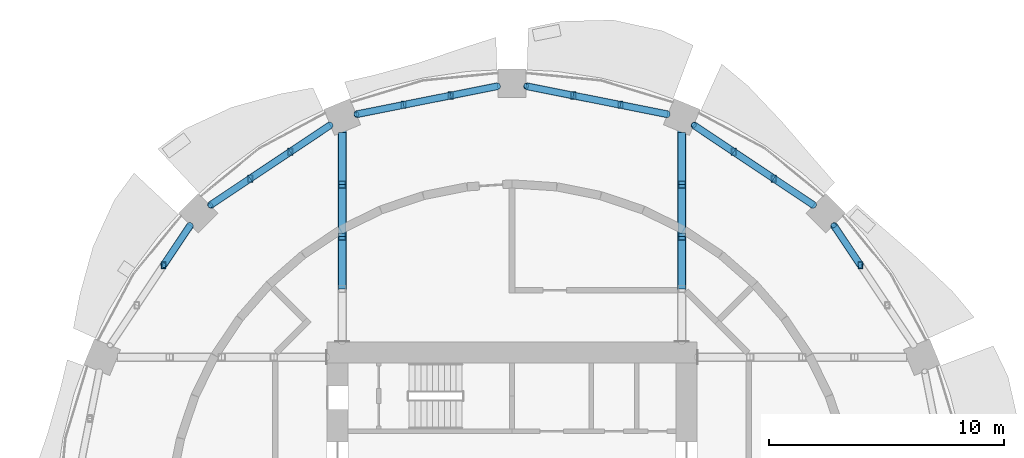
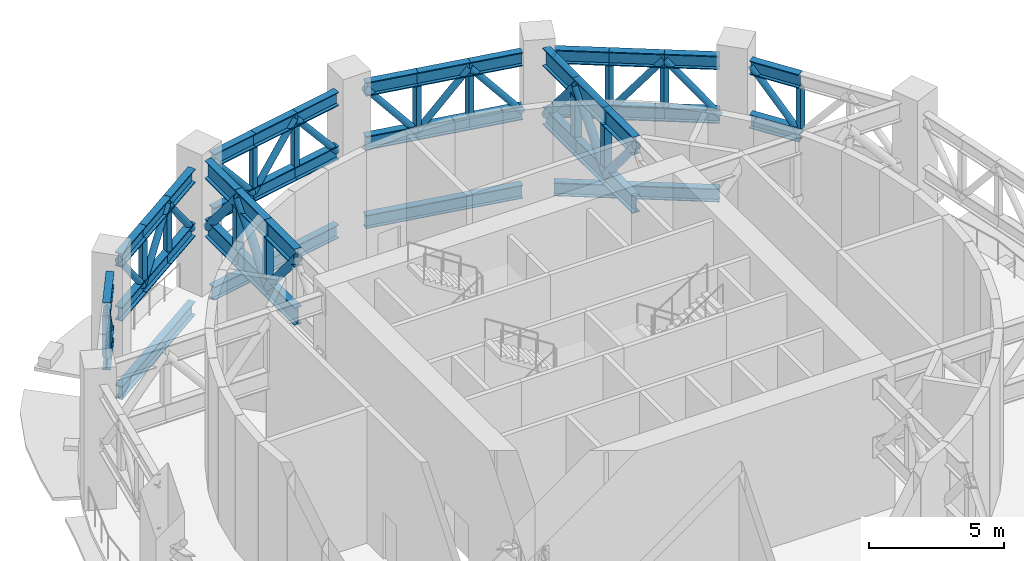
# One storey, part 5 of 14: 74 members, 4 beams.
"""IFC4 building model written with IfcOpenShell, lengths in metres."""

from ifc_helpers import new_model, si_unit, direction, frame, origin, origin_2d, place, context, subcontext, project, spatial, hollow_rectangle, hollow_circle, i_section, extrude, material, material_profile, profile_set, type_object, element, save


model = new_model("IFC4")

# Units and contexts
model_context = context("Model", 3, precision=1e-05, world=origin(), true_north=direction((0.0, 1.0)))
body_context = subcontext(model_context, "Body", "Model", "MODEL_VIEW")
ifc_project = project(units=[si_unit("LENGTHUNIT", "METRE"), si_unit("AREAUNIT", "SQUARE_METRE"), si_unit("VOLUMEUNIT", "CUBIC_METRE"), si_unit("PLANEANGLEUNIT", "RADIAN"), si_unit("MASSUNIT", "GRAM", prefix="KILO")], contexts=[model_context])

# Site, building, storey
site_placement = place(None, origin())
site = spatial("IfcSite", under=ifc_project, at=site_placement, CompositionType="ELEMENT")
building_placement = place(site_placement, origin())
building = spatial("IfcBuilding", under=site, at=building_placement, Name="Polderwave Tower", CompositionType="ELEMENT")
storey_placement = place(building_placement, frame((0.0, 0.0, 66.35009765625)))
storey = spatial("IfcBuildingStorey", under=building, at=storey_placement, Name="L17", CompositionType="ELEMENT", Elevation=66.35009765625)

# Members
ifc_material_1 = material(Name="Steel S460", Category="steel")
ifc_material_profile_1 = material_profile(ifc_material_1, i_section(OverallWidth=0.304931640625, OverallDepth=0.6201171875, WebThickness=0.02099609375, FlangeThickness=0.0400390625, at=origin_2d()), Name="HE 600 M")
ifc_profile_set_1 = profile_set([ifc_material_profile_1], Name="Steel S460")
member_type_1 = type_object("IfcMemberType", Name="BELT CHORD HE 600 M", PredefinedType="CHORD", material=ifc_profile_set_1)
for number, where, z_axis, x_axis, name in (
    (1, (14.82763671875, 11.138916015625, 5.33984375), (-0.555580303473, 0.831462883352, 0.0), (-0.831462883352, -0.555580303473, 0.0), "ST-BT-L17-01-TC3"),
    (2, (14.82763671875, 11.138916015625, 2.909912109375), (-0.555580303473, 0.831462883352, 0.0), (-0.831462883352, -0.555580303473, 0.0), "ST-BT-L17-01-BC3"),
    (3, (12.841552734375, 13.68994140625, 5.33984375), (-0.831462883352, 0.555580303473, 0.0), (-0.555580303473, -0.831462883352, 0.0), "ST-BT-L17-02-TC1"),
    (4, (12.841552734375, 13.68994140625, 2.909912109375), (-0.831462883352, 0.555580303473, 0.0), (-0.555580303473, -0.831462883352, 0.0), "ST-BT-L17-02-BC1"),
    (5, (11.138916015625, 14.82763671875, 5.33984375), (-0.831462883352, 0.555580303473, 0.0), (-0.555580303473, -0.831462883352, 0.0), "ST-BT-L17-02-TC2"),
    (6, (11.138916015625, 14.82763671875, 2.909912109375), (-0.831462883352, 0.555580303473, 0.0), (-0.555580303473, -0.831462883352, 0.0), "ST-BT-L17-02-BC2"),
    (7, (9.436279296875, 15.96533203125, 5.33984375), (-0.831462883352, 0.555580303473, 0.0), (-0.555580303473, -0.831462883352, 0.0), "ST-BT-L17-02-TC3"),
    (8, (9.436279296875, 15.96533203125, 2.909912109375), (-0.831462883352, 0.555580303473, 0.0), (-0.555580303473, -0.831462883352, 0.0), "ST-BT-L17-02-BC3"),
):
    element("IfcMember", number, at=place(storey_placement, frame(where, z_axis=z_axis, x_axis=x_axis)), inside=storey, type_object=member_type_1, Name=name, PredefinedType="CHORD", context=body_context, shape_type="SweptSolid", body=[
        extrude(i_section(OverallWidth=0.304931640625, OverallDepth=0.6201171875, WebThickness=0.02099609375, FlangeThickness=0.0400390625, at=origin_2d()), origin(), (0.0, 0.0, 1.0), 2.0478515625),
    ])
for number, where, z_axis, x_axis, name in (
    (9, (6.625, 17.562255859375, 5.33984375), (-0.980791054921, 0.195061289308, 0.0), (-0.195061289308, -0.980791054921, 0.0), "ST-BT-L17-03-TC1"),
    (10, (6.625, 17.562255859375, 2.909912109375), (-0.980791054921, 0.195061289308, 0.0), (-0.195061289308, -0.980791054921, 0.0), "ST-BT-L17-03-BC1"),
    (11, (4.61669921875, 17.961669921875, 5.33984375), (-0.980791054921, 0.195061289308, 0.0), (-0.195061289308, -0.980791054921, 0.0), "ST-BT-L17-03-TC2"),
    (12, (4.61669921875, 17.961669921875, 2.909912109375), (-0.980791054921, 0.195061289308, 0.0), (-0.195061289308, -0.980791054921, 0.0), "ST-BT-L17-03-BC2"),
    (13, (2.6083984375, 18.361083984375, 5.33984375), (-0.980768238216, 0.195175979329, 0.0), (-0.195175979329, -0.980768238216, 0.0), "ST-BT-L17-03-TC3"),
    (14, (2.6083984375, 18.361083984375, 2.909912109375), (-0.980768238216, 0.195175979329, 0.0), (-0.195175979329, -0.980768238216, 0.0), "ST-BT-L17-03-BC3"),
    (15, (-0.60009765625, 18.7607421875, 5.33984375), (-0.980768238216, -0.195175979329, 0.0), (0.195175979329, -0.980768238216, 0.0), "ST-BT-L17-04-TC1"),
    (16, (-0.60009765625, 18.7607421875, 2.909912109375), (-0.980768238216, -0.195175979329, 0.0), (0.195175979329, -0.980768238216, 0.0), "ST-BT-L17-04-BC1"),
    (17, (-2.6083984375, 18.361083984375, 5.33984375), (-0.980791054921, -0.195061289308, 0.0), (0.195061289308, -0.980791054921, 0.0), "ST-BT-L17-04-TC2"),
    (18, (-2.6083984375, 18.361083984375, 2.909912109375), (-0.980791054921, -0.195061289308, 0.0), (0.195061289308, -0.980791054921, 0.0), "ST-BT-L17-04-BC2"),
    (19, (-4.61669921875, 17.961669921875, 5.33984375), (-0.980791054921, -0.195061289308, 0.0), (0.195061289308, -0.980791054921, 0.0), "ST-BT-L17-04-TC3"),
    (20, (-4.61669921875, 17.961669921875, 2.909912109375), (-0.980791054921, -0.195061289308, 0.0), (0.195061289308, -0.980791054921, 0.0), "ST-BT-L17-04-BC3"),
):
    element("IfcMember", number, at=place(storey_placement, frame(where, z_axis=z_axis, x_axis=x_axis)), inside=storey, type_object=member_type_1, Name=name, PredefinedType="CHORD", context=body_context, shape_type="SweptSolid", body=[
        extrude(i_section(OverallWidth=0.304931640625, OverallDepth=0.6201171875, WebThickness=0.02099609375, FlangeThickness=0.0400390625, at=origin_2d()), origin(), (0.0, 0.0, 1.0), 2.047607421875),
    ])
for number, where, z_axis, x_axis, name in (
    (21, (-7.733642578125, 17.10302734375, 5.33984375), (-0.831462883352, -0.555580303473, 0.0), (0.555580303473, -0.831462883352, 0.0), "ST-BT-L17-05-TC1"),
    (22, (-7.733642578125, 17.10302734375, 2.909912109375), (-0.831462883352, -0.555580303473, 0.0), (0.555580303473, -0.831462883352, 0.0), "ST-BT-L17-05-BC1"),
    (23, (-9.436279296875, 15.96533203125, 5.33984375), (-0.831462883352, -0.555580303473, 0.0), (0.555580303473, -0.831462883352, 0.0), "ST-BT-L17-05-TC2"),
    (24, (-9.436279296875, 15.96533203125, 2.909912109375), (-0.831462883352, -0.555580303473, 0.0), (0.555580303473, -0.831462883352, 0.0), "ST-BT-L17-05-BC2"),
    (25, (-11.138916015625, 14.82763671875, 5.33984375), (-0.831462883352, -0.555580303473, 0.0), (0.555580303473, -0.831462883352, 0.0), "ST-BT-L17-05-TC3"),
    (26, (-11.138916015625, 14.82763671875, 2.909912109375), (-0.831462883352, -0.555580303473, 0.0), (0.555580303473, -0.831462883352, 0.0), "ST-BT-L17-05-BC3"),
    (27, (-13.68994140625, 12.841552734375, 5.33984375), (-0.555580303473, -0.831462883352, 0.0), (0.831462883352, -0.555580303473, 0.0), "ST-BT-L17-06-TC1"),
    (28, (-13.68994140625, 12.841552734375, 2.909912109375), (-0.555580303473, -0.831462883352, 0.0), (0.831462883352, -0.555580303473, 0.0), "ST-BT-L17-06-BC1"),
):
    element("IfcMember", number, at=place(storey_placement, frame(where, z_axis=z_axis, x_axis=x_axis)), inside=storey, type_object=member_type_1, Name=name, PredefinedType="CHORD", context=body_context, shape_type="SweptSolid", body=[
        extrude(i_section(OverallWidth=0.304931640625, OverallDepth=0.6201171875, WebThickness=0.02099609375, FlangeThickness=0.0400390625, at=origin_2d()), origin(), (0.0, 0.0, 1.0), 2.0478515625),
    ])
ifc_material_profile_2 = material_profile(ifc_material_1, hollow_circle(Radius=0.136474609375, WallThickness=0.012451171875, at=origin_2d()), Name="CHS 273x12.5")
ifc_profile_set_2 = profile_set([ifc_material_profile_2], Name="Steel S460")
member_type_2 = type_object("IfcMemberType", Name="BELT DIAGONAL CHS 273x12.5", PredefinedType="BRACE", material=ifc_profile_set_2)
for number, where, z_axis, x_axis, name in (
    (29, (14.82763671875, 11.138916015625, 2.909912109375), (-0.358022768665, 0.535804890273, 0.764678243889), (-0.831462883352, -0.555580303473, 0.0), "ST-BT-L17-01-D3"),
    (30, (12.841552734375, 13.68994140625, 2.909912109375), (-0.535804890273, 0.358022768665, 0.764678243889), (-0.555580303473, -0.831462883352, 0.0), "ST-BT-L17-02-D1"),
    (31, (11.138916015625, 14.82763671875, 5.33984375), (-0.535804890273, 0.358022768665, -0.764678243889), (-0.555580303473, -0.831462883352, 0.0), "ST-BT-L17-02-D2"),
    (32, (9.436279296875, 15.96533203125, 2.909912109375), (-0.535804890273, 0.358022768665, 0.764678243889), (-0.555580303473, -0.831462883352, 0.0), "ST-BT-L17-02-D3"),
    (33, (6.625, 17.562255859375, 2.909912109375), (-0.632010934113, 0.125695342598, 0.764697888065), (-0.195061289308, -0.980791054921, 0.0), "ST-BT-L17-03-D1"),
    (34, (4.61669921875, 17.961669921875, 5.33984375), (-0.632010934113, 0.125695342598, -0.764697888065), (-0.195061289308, -0.980791054921, 0.0), "ST-BT-L17-03-D2"),
    (35, (2.6083984375, 18.361083984375, 2.909912109375), (-0.632004828826, 0.12577095852, 0.764690501009), (-0.195175979329, -0.980768238216, 0.0), "ST-BT-L17-03-D3"),
    (36, (-0.60009765625, 18.7607421875, 2.909912109375), (-0.632004828826, -0.12577095852, 0.764690501009), (0.195175979329, -0.980768238216, 0.0), "ST-BT-L17-04-D1"),
    (37, (-2.6083984375, 18.361083984375, 5.33984375), (-0.632010934113, -0.125695342598, -0.764697888065), (0.195061289308, -0.980791054921, 0.0), "ST-BT-L17-04-D2"),
    (38, (-4.61669921875, 17.961669921875, 2.909912109375), (-0.632010934113, -0.125695342598, 0.764697888065), (0.195061289308, -0.980791054921, 0.0), "ST-BT-L17-04-D3"),
    (39, (-7.733642578125, 17.10302734375, 2.909912109375), (-0.535804890273, -0.358022768665, 0.764678243889), (0.555580303473, -0.831462883352, 0.0), "ST-BT-L17-05-D1"),
    (40, (-9.436279296875, 15.96533203125, 5.33984375), (-0.535804890273, -0.358022768665, -0.764678243889), (0.555580303473, -0.831462883352, 0.0), "ST-BT-L17-05-D2"),
    (41, (-11.138916015625, 14.82763671875, 2.909912109375), (-0.535804890273, -0.358022768665, 0.764678243889), (0.555580303473, -0.831462883352, 0.0), "ST-BT-L17-05-D3"),
    (42, (-13.68994140625, 12.841552734375, 2.909912109375), (-0.358022768665, -0.535804890273, 0.764678243889), (0.831462883352, -0.555580303473, 0.0), "ST-BT-L17-06-D1"),
):
    element("IfcMember", number, at=place(storey_placement, frame(where, z_axis=z_axis, x_axis=x_axis)), inside=storey, type_object=member_type_2, Name=name, PredefinedType="BRACE", context=body_context, shape_type="SweptSolid", body=[
        extrude(hollow_circle(Radius=0.136474609375, WallThickness=0.012451171875, at=origin_2d()), origin(), (0.0, 0.0, 1.0), 3.177734375),
    ])
ifc_material_profile_3 = material_profile(ifc_material_1, hollow_rectangle(XDim=0.199951171875, YDim=0.300048828125, WallThickness=0.012451171875, at=origin_2d()), Name="RHS 300x200x12.5")
ifc_profile_set_3 = profile_set([ifc_material_profile_3], Name="Steel S460")
member_type_3 = type_object("IfcMemberType", Name="BELT POST RHS 300x200x12.5", PredefinedType="POST", material=ifc_profile_set_3)
for number, where, z_axis, x_axis, name in (
    (43, (14.82763671875, 11.138916015625, 3.219970703125), (0.0, 0.0, 1.0), (1.0, 0.0, 0.0), "ST-BT-L17-01-P2"),
    (44, (11.138916015625, 14.82763671875, 3.219970703125), (0.0, 0.0, 1.0), (1.0, 0.0, 0.0), "ST-BT-L17-02-P1"),
    (45, (9.436279296875, 15.96533203125, 3.219970703125), (0.0, 0.0, 1.0), (1.0, 0.0, 0.0), "ST-BT-L17-02-P2"),
    (46, (4.61669921875, 17.961669921875, 3.219970703125), (0.0, 0.0, 1.0), (1.0, 0.0, 0.0), "ST-BT-L17-03-P1"),
    (47, (2.6083984375, 18.361083984375, 3.219970703125), (0.0, 0.0, 1.0), (1.0, 0.0, 0.0), "ST-BT-L17-03-P2"),
    (48, (-2.6083984375, 18.361083984375, 3.219970703125), (0.0, 0.0, 1.0), (1.0, 0.0, 0.0), "ST-BT-L17-04-P1"),
    (49, (-4.61669921875, 17.961669921875, 3.219970703125), (0.0, 0.0, 1.0), (1.0, 0.0, 0.0), "ST-BT-L17-04-P2"),
    (50, (-9.436279296875, 15.96533203125, 3.219970703125), (0.0, 0.0, 1.0), (1.0, 0.0, 0.0), "ST-BT-L17-05-P1"),
    (51, (-11.138916015625, 14.82763671875, 3.219970703125), (0.0, 0.0, 1.0), (1.0, 0.0, 0.0), "ST-BT-L17-05-P2"),
    (52, (-14.82763671875, 11.138916015625, 3.219970703125), (0.0, 0.0, 1.0), (1.0, 0.0, 0.0), "ST-BT-L17-06-P1"),
):
    element("IfcMember", number, at=place(storey_placement, frame(where, z_axis=z_axis, x_axis=x_axis)), inside=storey, type_object=member_type_3, Name=name, PredefinedType="POST", context=body_context, shape_type="SweptSolid", body=[
        extrude(hollow_rectangle(XDim=0.199951171875, YDim=0.300048828125, WallThickness=0.012451171875, at=origin_2d()), origin(), (0.0, 0.0, 1.0), 1.809814453125),
    ])
ifc_material_profile_4 = material_profile(ifc_material_1, i_section(OverallWidth=0.302978515625, OverallDepth=0.81396484375, WebThickness=0.02099609375, FlangeThickness=0.0400390625, at=origin_2d()), Name="HE 800 M")
ifc_profile_set_4 = profile_set([ifc_material_profile_4], Name="Steel S460")
member_type_4 = type_object("IfcMemberType", Name="OUTRIGGER CHORD HE 800 M", PredefinedType="CHORD", material=ifc_profile_set_4)
for number, where, z_axis, x_axis, name in (
    (53, (7.22509765625, 10.1337890625, 5.642822265625), (0.0, 1.0, 0.0), (-1.0, 0.0, 0.0), "ST-OR-L17-03-TC2"),
    (54, (7.22509765625, 10.1337890625, 3.0068359375), (0.0, 1.0, 0.0), (-1.0, 0.0, 0.0), "ST-OR-L17-03-BC2"),
):
    element("IfcMember", number, at=place(storey_placement, frame(where, z_axis=z_axis, x_axis=x_axis)), inside=storey, type_object=member_type_4, Name=name, PredefinedType="CHORD", context=body_context, shape_type="SweptSolid", body=[
        extrude(i_section(OverallWidth=0.302978515625, OverallDepth=0.81396484375, WebThickness=0.02099609375, FlangeThickness=0.0400390625, at=origin_2d()), origin(), (0.0, 0.0, 1.0), 2.219970703125),
    ])
for number, where, z_axis, x_axis, name in (
    (55, (7.22509765625, 12.353759765625, 5.642822265625), (0.0, 1.0, 0.0), (-1.0, 0.0, 0.0), "ST-OR-L17-03-TC3"),
    (56, (7.22509765625, 12.353759765625, 3.0068359375), (0.0, 1.0, 0.0), (-1.0, 0.0, 0.0), "ST-OR-L17-03-BC3"),
):
    element("IfcMember", number, at=place(storey_placement, frame(where, z_axis=z_axis, x_axis=x_axis)), inside=storey, type_object=member_type_4, Name=name, PredefinedType="CHORD", context=body_context, shape_type="SweptSolid", body=[
        extrude(i_section(OverallWidth=0.302978515625, OverallDepth=0.81396484375, WebThickness=0.02099609375, FlangeThickness=0.0400390625, at=origin_2d()), origin(), (0.0, 0.0, 1.0), 2.2197265625),
    ])
for number, where, z_axis, x_axis, name in (
    (57, (7.22509765625, 14.573486328125, 5.642822265625), (0.0, 1.0, 0.0), (-1.0, 0.0, 0.0), "ST-OR-L17-03-TC4"),
    (58, (7.22509765625, 14.573486328125, 3.0068359375), (0.0, 1.0, 0.0), (-1.0, 0.0, 0.0), "ST-OR-L17-03-BC4"),
    (59, (-7.22509765625, 10.1337890625, 5.642822265625), (0.0, 1.0, 0.0), (-1.0, 0.0, 0.0), "ST-OR-L17-05-TC2"),
    (60, (-7.22509765625, 10.1337890625, 3.0068359375), (0.0, 1.0, 0.0), (-1.0, 0.0, 0.0), "ST-OR-L17-05-BC2"),
):
    element("IfcMember", number, at=place(storey_placement, frame(where, z_axis=z_axis, x_axis=x_axis)), inside=storey, type_object=member_type_4, Name=name, PredefinedType="CHORD", context=body_context, shape_type="SweptSolid", body=[
        extrude(i_section(OverallWidth=0.302978515625, OverallDepth=0.81396484375, WebThickness=0.02099609375, FlangeThickness=0.0400390625, at=origin_2d()), origin(), (0.0, 0.0, 1.0), 2.219970703125),
    ])
for number, where, z_axis, x_axis, name in (
    (61, (-7.22509765625, 12.353759765625, 5.642822265625), (0.0, 1.0, 0.0), (-1.0, 0.0, 0.0), "ST-OR-L17-05-TC3"),
    (62, (-7.22509765625, 12.353759765625, 3.0068359375), (0.0, 1.0, 0.0), (-1.0, 0.0, 0.0), "ST-OR-L17-05-BC3"),
):
    element("IfcMember", number, at=place(storey_placement, frame(where, z_axis=z_axis, x_axis=x_axis)), inside=storey, type_object=member_type_4, Name=name, PredefinedType="CHORD", context=body_context, shape_type="SweptSolid", body=[
        extrude(i_section(OverallWidth=0.302978515625, OverallDepth=0.81396484375, WebThickness=0.02099609375, FlangeThickness=0.0400390625, at=origin_2d()), origin(), (0.0, 0.0, 1.0), 2.2197265625),
    ])
for number, where, z_axis, x_axis, name in (
    (63, (-7.22509765625, 14.573486328125, 5.642822265625), (0.0, 1.0, 0.0), (-1.0, 0.0, 0.0), "ST-OR-L17-05-TC4"),
    (64, (-7.22509765625, 14.573486328125, 3.0068359375), (0.0, 1.0, 0.0), (-1.0, 0.0, 0.0), "ST-OR-L17-05-BC4"),
):
    element("IfcMember", number, at=place(storey_placement, frame(where, z_axis=z_axis, x_axis=x_axis)), inside=storey, type_object=member_type_4, Name=name, PredefinedType="CHORD", context=body_context, shape_type="SweptSolid", body=[
        extrude(i_section(OverallWidth=0.302978515625, OverallDepth=0.81396484375, WebThickness=0.02099609375, FlangeThickness=0.0400390625, at=origin_2d()), origin(), (0.0, 0.0, 1.0), 2.219970703125),
    ])
ifc_material_profile_5 = material_profile(ifc_material_1, hollow_circle(Radius=0.177734375, WallThickness=0.012451171875, at=origin_2d()), Name="CHS 355.6x12.5")
ifc_profile_set_5 = profile_set([ifc_material_profile_5], Name="Steel S460")
member_type_5 = type_object("IfcMemberType", Name="OUTRIGGER DIAGONAL CHS 355.6x12.5", PredefinedType="BRACE", material=ifc_profile_set_5)
member_1_placement = place(storey_placement, frame((7.22509765625, 10.1337890625, 5.642822265625), z_axis=(0.0, 0.644168468107, -0.764883641279), x_axis=(-1.0, 0.0, 0.0)))
element("IfcMember", 65, at=member_1_placement, inside=storey, type_object=member_type_5, Name="ST-OR-L17-03-D2", PredefinedType="BRACE", context=body_context, shape_type="SweptSolid", body=[
    extrude(hollow_circle(Radius=0.177734375, WallThickness=0.012451171875, at=origin_2d()), origin(), (0.0, 0.0, 1.0), 3.4462890625),
])
member_2_placement = place(storey_placement, frame((7.22509765625, 12.353759765625, 3.0068359375), z_axis=(0.0, 0.644127019232, 0.764918546706), x_axis=(-1.0, 0.0, 0.0)))
element("IfcMember", 66, at=member_2_placement, inside=storey, type_object=member_type_5, Name="ST-OR-L17-03-D3", PredefinedType="BRACE", context=body_context, shape_type="SweptSolid", body=[
    extrude(hollow_circle(Radius=0.177734375, WallThickness=0.012451171875, at=origin_2d()), origin(), (0.0, 0.0, 1.0), 3.446044921875),
])
for number, where, z_axis, x_axis, name in (
    (67, (7.22509765625, 14.573486328125, 5.642822265625), (0.0, 0.644168468107, -0.764883641279), (-1.0, 0.0, 0.0), "ST-OR-L17-03-D4"),
    (68, (-7.22509765625, 10.1337890625, 5.642822265625), (0.0, 0.644168468107, -0.764883641279), (-1.0, 0.0, 0.0), "ST-OR-L17-05-D2"),
):
    element("IfcMember", number, at=place(storey_placement, frame(where, z_axis=z_axis, x_axis=x_axis)), inside=storey, type_object=member_type_5, Name=name, PredefinedType="BRACE", context=body_context, shape_type="SweptSolid", body=[
        extrude(hollow_circle(Radius=0.177734375, WallThickness=0.012451171875, at=origin_2d()), origin(), (0.0, 0.0, 1.0), 3.4462890625),
    ])
member_3_placement = place(storey_placement, frame((-7.22509765625, 12.353759765625, 3.0068359375), z_axis=(0.0, 0.644127019232, 0.764918546706), x_axis=(-1.0, 0.0, 0.0)))
element("IfcMember", 69, at=member_3_placement, inside=storey, type_object=member_type_5, Name="ST-OR-L17-05-D3", PredefinedType="BRACE", context=body_context, shape_type="SweptSolid", body=[
    extrude(hollow_circle(Radius=0.177734375, WallThickness=0.012451171875, at=origin_2d()), origin(), (0.0, 0.0, 1.0), 3.446044921875),
])
member_4_placement = place(storey_placement, frame((-7.22509765625, 14.573486328125, 5.642822265625), z_axis=(0.0, 0.644168468107, -0.764883641279), x_axis=(-1.0, 0.0, 0.0)))
element("IfcMember", 70, at=member_4_placement, inside=storey, type_object=member_type_5, Name="ST-OR-L17-05-D4", PredefinedType="BRACE", context=body_context, shape_type="SweptSolid", body=[
    extrude(hollow_circle(Radius=0.177734375, WallThickness=0.012451171875, at=origin_2d()), origin(), (0.0, 0.0, 1.0), 3.4462890625),
])
ifc_material_profile_6 = material_profile(ifc_material_1, hollow_rectangle(XDim=0.300048828125, YDim=0.300048828125, WallThickness=0.012451171875, at=origin_2d()), Name="SHS 300x300x12.5")
ifc_profile_set_6 = profile_set([ifc_material_profile_6], Name="Steel S460")
member_type_6 = type_object("IfcMemberType", Name="OUTRIGGER POST SHS 300x300x12.5", PredefinedType="POST", material=ifc_profile_set_6)
for number, where, z_axis, x_axis, name in (
    (71, (7.22509765625, 12.353759765625, 3.413818359375), (0.0, 0.0, 1.0), (1.0, 0.0, 0.0), "ST-OR-L17-03-P2"),
    (72, (7.22509765625, 14.573486328125, 3.413818359375), (0.0, 0.0, 1.0), (1.0, 0.0, 0.0), "ST-OR-L17-03-P3"),
    (73, (-7.22509765625, 12.353759765625, 3.413818359375), (0.0, 0.0, 1.0), (1.0, 0.0, 0.0), "ST-OR-L17-05-P2"),
    (74, (-7.22509765625, 14.573486328125, 3.413818359375), (0.0, 0.0, 1.0), (1.0, 0.0, 0.0), "ST-OR-L17-05-P3"),
):
    element("IfcMember", number, at=place(storey_placement, frame(where, z_axis=z_axis, x_axis=x_axis)), inside=storey, type_object=member_type_6, Name=name, PredefinedType="POST", context=body_context, shape_type="SweptSolid", body=[
        extrude(hollow_rectangle(XDim=0.300048828125, YDim=0.300048828125, WallThickness=0.012451171875, at=origin_2d()), origin(), (0.0, 0.0, 1.0), 1.822021484375),
    ])

# Beams
ifc_material_2 = material(Name="Steel S355", Category="steel")
ifc_material_profile_7 = material_profile(ifc_material_2, i_section(OverallWidth=0.300048828125, OverallDepth=0.60009765625, WebThickness=0.015380859375, FlangeThickness=0.030029296875, at=origin_2d()), Name="HE 600 B")
ifc_profile_set_7 = profile_set([ifc_material_profile_7], Name="Steel S355")
beam_type = type_object("IfcBeamType", Name="RING BEAM HE 600 B", PredefinedType="BEAM", material=ifc_profile_set_7)
beam_1_placement = place(storey_placement, frame((12.841552734375, 13.68994140625, -0.650146484375), z_axis=(-0.831462883352, 0.555580303473, 0.0), x_axis=(-0.555580303473, -0.831462883352, 0.0)))
element("IfcBeam", 75, at=beam_1_placement, inside=storey, type_object=beam_type, Name="ST-RB-L17-02", PredefinedType="BEAM", context=body_context, shape_type="SweptSolid", body=[
    extrude(i_section(OverallWidth=0.300048828125, OverallDepth=0.60009765625, WebThickness=0.015380859375, FlangeThickness=0.030029296875, at=origin_2d()), origin(), (0.0, 0.0, 1.0), 6.143310546875),
])
for number, where, z_axis, x_axis, name in (
    (76, (6.625, 17.562255859375, -0.650146484375), (-0.980783450725, 0.195099520205, 0.0), (-0.195099520205, -0.980783450725, 0.0), "ST-RB-L17-03"),
    (77, (-0.60009765625, 18.7607421875, -0.650146484375), (-0.980783450725, -0.195099520205, 0.0), (0.195099520205, -0.980783450725, 0.0), "ST-RB-L17-04"),
):
    element("IfcBeam", number, at=place(storey_placement, frame(where, z_axis=z_axis, x_axis=x_axis)), inside=storey, type_object=beam_type, Name=name, PredefinedType="BEAM", context=body_context, shape_type="SweptSolid", body=[
        extrude(i_section(OverallWidth=0.300048828125, OverallDepth=0.60009765625, WebThickness=0.015380859375, FlangeThickness=0.030029296875, at=origin_2d()), origin(), (0.0, 0.0, 1.0), 6.14306640625),
    ])
beam_2_placement = place(storey_placement, frame((-7.733642578125, 17.10302734375, -0.650146484375), z_axis=(-0.831462883352, -0.555580303473, 0.0), x_axis=(0.555580303473, -0.831462883352, 0.0)))
element("IfcBeam", 78, at=beam_2_placement, inside=storey, type_object=beam_type, Name="ST-RB-L17-05", PredefinedType="BEAM", context=body_context, shape_type="SweptSolid", body=[
    extrude(i_section(OverallWidth=0.300048828125, OverallDepth=0.60009765625, WebThickness=0.015380859375, FlangeThickness=0.030029296875, at=origin_2d()), origin(), (0.0, 0.0, 1.0), 6.143310546875),
])

save(model, "model.ifc")
